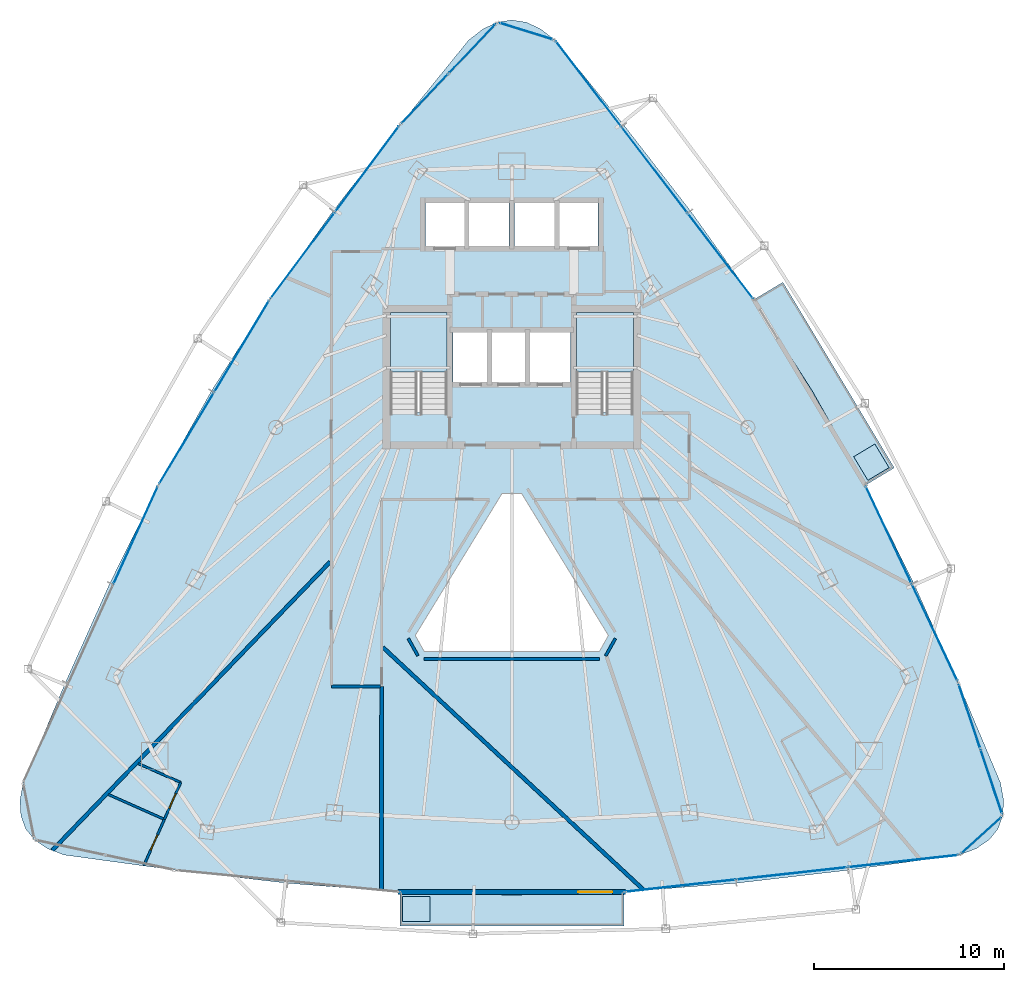
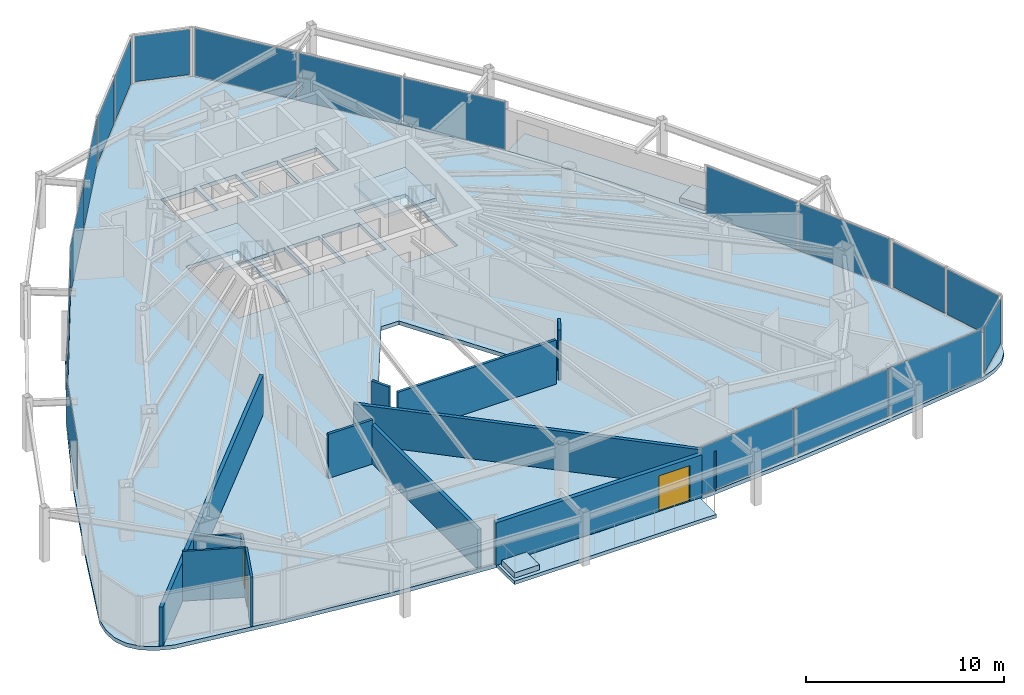
# One storey, part 26 of 31: 19 plates, 12 walls, 7 slabs, 3 doors, 3 openings, 12 elements without a shape of their own.
"""IFC4 building model written with IfcOpenShell, lengths in metres."""

from ifc_helpers import new_model, si_unit, direction, frame, frame_2d, origin, origin_2d, place, context, subcontext, project, spatial, polyline, rectangle, outline, extrude, material, layer, layer_set, type_object, element, fill, aggregate, save


model = new_model("IFC4")

# Units and contexts
model_context = context("Model", 3, precision=1e-05, world=origin(), true_north=direction((0.0, 1.0)))
body_context = subcontext(model_context, "Body", "Model", "MODEL_VIEW")
ifc_project = project(units=[si_unit("LENGTHUNIT", "METRE"), si_unit("AREAUNIT", "SQUARE_METRE"), si_unit("VOLUMEUNIT", "CUBIC_METRE"), si_unit("PLANEANGLEUNIT", "RADIAN"), si_unit("MASSUNIT", "GRAM", prefix="KILO")], contexts=[model_context])

# Site, building, storey
site_placement = place(None, origin())
site = spatial("IfcSite", under=ifc_project, at=site_placement, CompositionType="ELEMENT")
building_placement = place(site_placement, origin())
building = spatial("IfcBuilding", under=site, at=building_placement, Name="Orvanel Arch Residences", CompositionType="ELEMENT")
storey_placement = place(building_placement, frame((0.0, 0.0, 129.800048828125)))
storey = spatial("IfcBuildingStorey", under=building, at=storey_placement, Name="L36", CompositionType="ELEMENT", Elevation=129.800048828125)

# Curtain wall, plates
ifc_material_1 = material(Name="Bronze-anodised aluminium AA6063-T6", Category="aluminium")
ifc_layer_1 = layer(ifc_material_1, 0.179931640625)
ifc_layer_set_1 = layer_set([ifc_layer_1], Name="Bronze-anodised aluminium AA6063-T6")
curtain_wall_type_1 = type_object("IfcCurtainWallType", Name="CW3-MID-SYS", PredefinedType="NOTDEFINED", material=ifc_layer_set_1)
curtain_wall_1_placement = place(storey_placement, origin())
curtain_wall_1 = element("IfcCurtainWall", 1, at=curtain_wall_1_placement, inside=storey, type_object=curtain_wall_type_1, Name="L36 CW3-MID-SYS Unitised Curtain Wall", PredefinedType="NOTDEFINED")
ifc_material_2 = material(Name="Double-glazed solar-control low-E safety glass", Category="glass")
ifc_layer_2 = layer(ifc_material_2, 0.028076171875)
ifc_layer_set_2 = layer_set([ifc_layer_2], Name="Double-glazed solar-control low-E safety glass")
plate_type_1 = type_object("IfcPlateType", Name="PNL-GLZ-28", PredefinedType="CURTAIN_PANEL", material=ifc_layer_set_2)
plate_1_placement = place(storey_placement, frame((25.369873046875, 41.240478515625, 0.06005859375), z_axis=(0.0, 0.0, 1.0), x_axis=(-0.597389640291, -0.801951131724, 0.0)))
plate_1 = element("IfcPlate", 2, at=plate_1_placement, type_object=plate_type_1, Name="CW-S3 panel 1.1", PredefinedType="CURTAIN_PANEL", context=body_context, shape_type="SweptSolid", body=[
    extrude(rectangle(XDim=5.602294921875, YDim=0.028076171875, at=origin_2d()), origin(), (0.0, 0.0, 1.0), 2.93994140625),
])
plate_2_placement = place(storey_placement, frame((21.981201171875, 36.691650390625, 0.06005859375), z_axis=(0.0, 0.0, 1.0), x_axis=(-0.597389640291, -0.801951131724, 0.0)))
plate_2 = element("IfcPlate", 3, at=plate_2_placement, type_object=plate_type_1, Name="CW-S3 panel 2.1", PredefinedType="CURTAIN_PANEL", context=body_context, shape_type="SweptSolid", body=[
    extrude(rectangle(XDim=5.602294921875, YDim=0.028076171875, at=origin_2d()), origin(), (0.0, 0.0, 1.0), 2.93994140625),
])
aggregate(curtain_wall_1, [plate_1, plate_2])

curtain_wall_2_placement = place(storey_placement, origin())
curtain_wall_2 = element("IfcCurtainWall", 4, at=curtain_wall_2_placement, inside=storey, type_object=curtain_wall_type_1, Name="L36 CW3-MID-SYS Unitised Curtain Wall", PredefinedType="NOTDEFINED")
plate_3_placement = place(storey_placement, frame((18.774169921875, 31.906005859375, 0.06005859375), z_axis=(0.0, 0.0, 1.0), x_axis=(-0.514431016991, -0.857531765451, 0.0)))
plate_3 = element("IfcPlate", 5, at=plate_3_placement, type_object=plate_type_1, Name="CW-S3 panel 1.1", PredefinedType="CURTAIN_PANEL", context=body_context, shape_type="SweptSolid", body=[
    extrude(rectangle(XDim=5.573974609375, YDim=0.028076171875, at=origin_2d()), origin(), (0.0, 0.0, 1.0), 2.93994140625),
])
plate_4_placement = place(storey_placement, frame((15.870849609375, 27.06591796875, 0.06005859375), z_axis=(0.0, 0.0, 1.0), x_axis=(-0.514431016991, -0.857531765451, 0.0)))
plate_4 = element("IfcPlate", 6, at=plate_4_placement, type_object=plate_type_1, Name="CW-S3 panel 2.1", PredefinedType="CURTAIN_PANEL", context=body_context, shape_type="SweptSolid", body=[
    extrude(rectangle(XDim=5.573974609375, YDim=0.028076171875, at=origin_2d()), origin(), (0.0, 0.0, 1.0), 2.93994140625),
])
aggregate(curtain_wall_2, [plate_3, plate_4])

# Curtain wall, plate
curtain_wall_3_placement = place(storey_placement, origin())
curtain_wall_3 = element("IfcCurtainWall", 7, at=curtain_wall_3_placement, inside=storey, type_object=curtain_wall_type_1, Name="L36 CW3-MID-SYS Unitised Curtain Wall", PredefinedType="NOTDEFINED")
plate_5_placement = place(storey_placement, frame((13.19140625, 21.960205078125, 0.06005859375), z_axis=(0.0, 0.0, 1.0), x_axis=(-0.413895098306, -0.91032458365, 0.0)))
plate_5 = element("IfcPlate", 8, at=plate_5_placement, type_object=plate_type_1, Name="CW-S3 panel 1.1", PredefinedType="CURTAIN_PANEL", context=body_context, shape_type="SweptSolid", body=[
    extrude(rectangle(XDim=5.617919921875, YDim=0.028076171875, at=origin_2d()), origin(), (0.0, 0.0, 1.0), 2.93994140625),
])
aggregate(curtain_wall_3, [plate_5])

# Curtain wall, plates
curtain_wall_4_placement = place(storey_placement, origin())
curtain_wall_4 = element("IfcCurtainWall", 9, at=curtain_wall_4_placement, inside=storey, type_object=curtain_wall_type_1, Name="L36 CW3-MID-SYS Unitised Curtain Wall", PredefinedType="NOTDEFINED")
plate_6_placement = place(storey_placement, frame((41.873046875, 3.51318359375, 0.06005859375), z_axis=(0.0, 0.0, 1.0), x_axis=(0.993972721041, 0.109627687319, 0.0)))
plate_6 = element("IfcPlate", 10, at=plate_6_placement, type_object=plate_type_1, Name="CW-S3 panel 1.1", PredefinedType="CURTAIN_PANEL", context=body_context, shape_type="SweptSolid", body=[
    extrude(rectangle(XDim=5.81201171875, YDim=0.028076171875, at=origin_2d()), origin(), (0.0, 0.0, 1.0), 2.93994140625),
])
plate_7_placement = place(storey_placement, frame((47.737060546875, 4.159912109375, 0.06005859375), z_axis=(0.0, 0.0, 1.0), x_axis=(0.993972721041, 0.109627687319, 0.0)))
plate_7 = element("IfcPlate", 11, at=plate_7_placement, type_object=plate_type_1, Name="CW-S3 panel 2.1", PredefinedType="CURTAIN_PANEL", context=body_context, shape_type="SweptSolid", body=[
    extrude(rectangle(XDim=5.846923828125, YDim=0.028076171875, at=origin_2d()), origin(), (0.0, 0.0, 1.0), 2.93994140625),
])
plate_8_placement = place(storey_placement, frame((53.600830078125, 4.806640625, 0.06005859375), z_axis=(0.0, 0.0, 1.0), x_axis=(0.993972721041, 0.109627687319, 0.0)))
plate_8 = element("IfcPlate", 12, at=plate_8_placement, type_object=plate_type_1, Name="CW-S3 panel 3.1", PredefinedType="CURTAIN_PANEL", context=body_context, shape_type="SweptSolid", body=[
    extrude(rectangle(XDim=5.81201171875, YDim=0.028076171875, at=origin_2d()), origin(), (0.0, 0.0, 1.0), 2.93994140625),
])
aggregate(curtain_wall_4, [plate_6, plate_7, plate_8])

curtain_wall_5_placement = place(storey_placement, origin())
curtain_wall_5 = element("IfcCurtainWall", 13, at=curtain_wall_5_placement, inside=storey, type_object=curtain_wall_type_1, Name="L36 CW3-MID-SYS Unitised Curtain Wall", PredefinedType="NOTDEFINED")
plate_9_placement = place(storey_placement, frame((55.25927734375, 16.852294921875, 0.06005859375), z_axis=(0.0, 0.0, 1.0), x_axis=(-0.426206237326, 0.904626023981, 0.0)))
plate_9 = element("IfcPlate", 14, at=plate_9_placement, type_object=plate_type_1, Name="CW-S3 panel 1.1", PredefinedType="CURTAIN_PANEL", context=body_context, shape_type="SweptSolid", body=[
    extrude(rectangle(XDim=5.602294921875, YDim=0.028076171875, at=origin_2d()), origin(), (0.0, 0.0, 1.0), 2.93994140625),
])
plate_10_placement = place(storey_placement, frame((52.841796875, 21.983642578125, 0.06005859375), z_axis=(0.0, 0.0, 1.0), x_axis=(-0.426206237326, 0.904626023981, 0.0)))
plate_10 = element("IfcPlate", 15, at=plate_10_placement, type_object=plate_type_1, Name="CW-S3 panel 2.1", PredefinedType="CURTAIN_PANEL", context=body_context, shape_type="SweptSolid", body=[
    extrude(rectangle(XDim=5.602294921875, YDim=0.028076171875, at=origin_2d()), origin(), (0.0, 0.0, 1.0), 2.93994140625),
])
aggregate(curtain_wall_5, [plate_9, plate_10])

curtain_wall_6_placement = place(storey_placement, origin())
curtain_wall_6 = element("IfcCurtainWall", 16, at=curtain_wall_6_placement, inside=storey, type_object=curtain_wall_type_1, Name="L36 CW3-MID-SYS Unitised Curtain Wall", PredefinedType="NOTDEFINED")
plate_11_placement = place(storey_placement, frame((43.98291015625, 36.673828125, 0.06005859375), z_axis=(0.0, 0.0, 1.0), x_axis=(-0.608327589465, 0.793686048697, 0.0)))
plate_11 = element("IfcPlate", 17, at=plate_11_placement, type_object=plate_type_1, Name="CW-S3 panel 1.1", PredefinedType="CURTAIN_PANEL", context=body_context, shape_type="SweptSolid", body=[
    extrude(rectangle(XDim=5.6171875, YDim=0.028076171875, at=origin_2d()), origin(), (0.0, 0.0, 1.0), 2.93994140625),
])
plate_12_placement = place(storey_placement, frame((40.512451171875, 41.201416015625, 0.06005859375), z_axis=(0.0, 0.0, 1.0), x_axis=(-0.608327589465, 0.793686048697, 0.0)))
plate_12 = element("IfcPlate", 18, at=plate_12_placement, type_object=plate_type_1, Name="CW-S3 panel 2.1", PredefinedType="CURTAIN_PANEL", context=body_context, shape_type="SweptSolid", body=[
    extrude(rectangle(XDim=5.65234375, YDim=0.028076171875, at=origin_2d()), origin(), (0.0, 0.0, 1.0), 2.93994140625),
])
plate_13_placement = place(storey_placement, frame((37.042236328125, 45.729248046875, 0.06005859375), z_axis=(0.0, 0.0, 1.0), x_axis=(-0.608327589465, 0.793686048697, 0.0)))
plate_13 = element("IfcPlate", 19, at=plate_13_placement, type_object=plate_type_1, Name="CW-S3 panel 3.1", PredefinedType="CURTAIN_PANEL", context=body_context, shape_type="SweptSolid", body=[
    extrude(rectangle(XDim=5.6171875, YDim=0.028076171875, at=origin_2d()), origin(), (0.0, 0.0, 1.0), 2.93994140625),
])
aggregate(curtain_wall_6, [plate_11, plate_12, plate_13])

# Curtain wall, plate
ifc_layer_3 = layer(ifc_material_1, 0.18994140625)
ifc_layer_set_3 = layer_set([ifc_layer_3], Name="Bronze-anodised aluminium AA6063-T6")
curtain_wall_type_2 = type_object("IfcCurtainWallType", Name="CW5-CRN-SYS", PredefinedType="NOTDEFINED", material=ifc_layer_set_3)
curtain_wall_7_placement = place(storey_placement, origin())
curtain_wall_7 = element("IfcCurtainWall", 20, at=curtain_wall_7_placement, inside=storey, type_object=curtain_wall_type_2, Name="L36 CW5-CRN-SYS Unitised Curtain Wall", PredefinedType="NOTDEFINED")
ifc_layer_4 = layer(ifc_material_2, 0.031982421875)
ifc_layer_set_4 = layer_set([ifc_layer_4], Name="Double-glazed solar-control low-E safety glass")
plate_type_2 = type_object("IfcPlateType", Name="PNL-GLZ-32", PredefinedType="CURTAIN_PANEL", material=ifc_layer_set_4)
plate_14_placement = place(storey_placement, frame((33.759521484375, 48.5029296875, 0.1298828125), z_axis=(0.0, 0.0, 1.0), x_axis=(-0.954824681693, 0.297169694333, 0.0)))
plate_14 = element("IfcPlate", 21, at=plate_14_placement, type_object=plate_type_2, Name="CW-S5 panel 1.1", PredefinedType="CURTAIN_PANEL", context=body_context, shape_type="SweptSolid", body=[
    extrude(rectangle(XDim=2.843017578125, YDim=0.031982421875, at=origin_2d()), origin(), (0.0, 0.0, 1.0), 2.800048828125),
])
aggregate(curtain_wall_7, [plate_14])

# Curtain wall, plates
curtain_wall_8_placement = place(storey_placement, origin())
curtain_wall_8 = element("IfcCurtainWall", 22, at=curtain_wall_8_placement, inside=storey, type_object=curtain_wall_type_2, Name="L36 CW5-CRN-SYS Unitised Curtain Wall", PredefinedType="NOTDEFINED")
plate_15_placement = place(storey_placement, frame((30.92138671875, 47.587158203125, 0.1298828125), z_axis=(0.0, 0.0, 1.0), x_axis=(-0.688561931403, -0.725177541449, 0.0)))
plate_15 = element("IfcPlate", 23, at=plate_15_placement, type_object=plate_type_2, Name="CW-S5 panel 1.1", PredefinedType="CURTAIN_PANEL", context=body_context, shape_type="SweptSolid", body=[
    extrude(rectangle(XDim=3.4892578125, YDim=0.031982421875, at=origin_2d()), origin(), (0.0, 0.0, 1.0), 2.800048828125),
])
plate_16_placement = place(storey_placement, frame((28.41552734375, 44.947998046875, 0.1298828125), z_axis=(0.0, 0.0, 1.0), x_axis=(-0.688561931403, -0.725177541449, 0.0)))
plate_16 = element("IfcPlate", 24, at=plate_16_placement, type_object=plate_type_2, Name="CW-S5 panel 2.1", PredefinedType="CURTAIN_PANEL", context=body_context, shape_type="SweptSolid", body=[
    extrude(rectangle(XDim=3.4892578125, YDim=0.031982421875, at=origin_2d()), origin(), (0.0, 0.0, 1.0), 2.800048828125),
])
aggregate(curtain_wall_8, [plate_15, plate_16])

# Curtain wall, plate
curtain_wall_9_placement = place(storey_placement, origin())
curtain_wall_9 = element("IfcCurtainWall", 25, at=curtain_wall_9_placement, inside=storey, type_object=curtain_wall_type_2, Name="L36 CW5-CRN-SYS Unitised Curtain Wall", PredefinedType="NOTDEFINED")
plate_17_placement = place(storey_placement, frame((57.71337890625, 6.1650390625, 0.1298828125), z_axis=(0.0, 0.0, 1.0), x_axis=(0.740179363966, 0.672409480271, 0.0)))
plate_17 = element("IfcPlate", 26, at=plate_17_placement, type_object=plate_type_2, Name="CW-S5 panel 1.1", PredefinedType="CURTAIN_PANEL", context=body_context, shape_type="SweptSolid", body=[
    extrude(rectangle(XDim=2.724853515625, YDim=0.031982421875, at=origin_2d()), origin(), (0.0, 0.0, 1.0), 2.800048828125),
])
aggregate(curtain_wall_9, [plate_17])

# Curtain wall, plates
curtain_wall_10_placement = place(storey_placement, origin())
curtain_wall_10 = element("IfcCurtainWall", 27, at=curtain_wall_10_placement, inside=storey, type_object=curtain_wall_type_2, Name="L36 CW5-CRN-SYS Unitised Curtain Wall", PredefinedType="NOTDEFINED")
plate_18_placement = place(storey_placement, frame((58.244140625, 9.00048828125, 0.1298828125), z_axis=(0.0, 0.0, 1.0), x_axis=(-0.317364853099, 0.94830351155, 0.0)))
plate_18 = element("IfcPlate", 28, at=plate_18_placement, type_object=plate_type_2, Name="CW-S5 panel 1.1", PredefinedType="CURTAIN_PANEL", context=body_context, shape_type="SweptSolid", body=[
    extrude(rectangle(XDim=3.468017578125, YDim=0.031982421875, at=origin_2d()), origin(), (0.0, 0.0, 1.0), 2.800048828125),
])
plate_19_placement = place(storey_placement, frame((57.095947265625, 12.431396484375, 0.1298828125), z_axis=(0.0, 0.0, 1.0), x_axis=(-0.317364853099, 0.94830351155, 0.0)))
plate_19 = element("IfcPlate", 29, at=plate_19_placement, type_object=plate_type_2, Name="CW-S5 panel 2.1", PredefinedType="CURTAIN_PANEL", context=body_context, shape_type="SweptSolid", body=[
    extrude(rectangle(XDim=3.468017578125, YDim=0.031982421875, at=origin_2d()), origin(), (0.0, 0.0, 1.0), 2.800048828125),
])
aggregate(curtain_wall_10, [plate_18, plate_19])

# Slabs
ifc_material_3 = material(Name="Concrete N40 (40 MPa)", Category="concrete")
ifc_layer_5 = layer(ifc_material_3, 0.215087890625)
ifc_layer_set_5 = layer_set([ifc_layer_5], Name="Concrete N40 (40 MPa)")
slab_type_1 = type_object("IfcSlabType", Name="SLB-BAL-215", PredefinedType="FLOOR", material=ifc_layer_set_5)
slab_1_placement = place(storey_placement, frame((0.0, 0.0, -0.215087890625)))
element("IfcSlab", 30, at=slab_1_placement, inside=storey, type_object=slab_type_1, Name="L36 Cantilevered Balcony Slab Face 2", PredefinedType="FLOOR", context=body_context, shape_type="SweptSolid", body=[
    extrude(outline(polyline([(27.10498046875, 1.405029296875), (38.89501953125, 1.405029296875), (38.89501953125, 3.18505859375), (33.0, 3.02392578125), (27.10498046875, 3.18505859375), (27.10498046875, 1.405029296875)])), origin(), (0.0, 0.0, 1.0), 0.215087890625),
])
slab_2_placement = place(storey_placement, frame((0.0, 0.0, -0.215087890625)))
element("IfcSlab", 31, at=slab_2_placement, inside=storey, type_object=slab_type_1, Name="L36 Cantilevered Balcony Slab Face 3", PredefinedType="FLOOR", context=body_context, shape_type="SweptSolid", body=[
    extrude(outline(polyline([(53.135009765625, 25.513916015625), (47.27197265625, 35.2880859375), (45.74609375, 34.373046875), (48.81494140625, 29.568115234375), (51.60888671875, 24.59912109375), (53.135009765625, 25.513916015625)])), origin(), (0.0, 0.0, 1.0), 0.215087890625),
])

# Stair, slab
ifc_material_4 = material(Name="Precast concrete N50 (50 MPa)", Category="concrete")
stair_type = type_object("IfcStairType", Name="STR-DOG-184", PredefinedType="USERDEFINED", material=ifc_material_4)
stair_1_placement = place(storey_placement, origin())
stair_1 = element("IfcStair", 32, at=stair_1_placement, inside=storey, type_object=stair_type, Name="L36 Fire-Isolated Core Exit Stair 1", ObjectType="TWO_RETURN_STAIR", PredefinedType="USERDEFINED")
ifc_layer_6 = layer(ifc_material_3, 0.199951171875)
ifc_layer_set_6 = layer_set([ifc_layer_6], Name="Concrete N40 (40 MPa)")
slab_type_2 = type_object("IfcSlabType", Name="SLB-LND-200", PredefinedType="LANDING", material=ifc_layer_set_6)
slab_3_placement = place(storey_placement, frame((0.0, 0.0, 1.449951171875)))
slab_3 = element("IfcSlab", 33, at=slab_3_placement, type_object=slab_type_2, Name="ST-1 landing 1", PredefinedType="LANDING", context=body_context, shape_type="SweptSolid", body=[
    extrude(outline(polyline([(29.60009765625, 30.56005859375), (29.60009765625, 33.699951171875), (26.60009765625, 33.699951171875), (26.60009765625, 30.56005859375), (29.60009765625, 30.56005859375)])), origin(), (0.0, 0.0, 1.0), 0.199951171875),
])
aggregate(stair_1, [slab_3])

stair_2_placement = place(storey_placement, origin())
stair_2 = element("IfcStair", 34, at=stair_2_placement, inside=storey, type_object=stair_type, Name="L36 Fire-Isolated Core Exit Stair 2", ObjectType="TWO_RETURN_STAIR", PredefinedType="USERDEFINED")
slab_4_placement = place(storey_placement, frame((0.0, 0.0, 1.449951171875)))
slab_4 = element("IfcSlab", 35, at=slab_4_placement, type_object=slab_type_2, Name="ST-2 landing 1", PredefinedType="LANDING", context=body_context, shape_type="SweptSolid", body=[
    extrude(outline(polyline([(39.39990234375, 30.56005859375), (39.39990234375, 33.699951171875), (36.39990234375, 33.699951171875), (36.39990234375, 30.56005859375), (39.39990234375, 30.56005859375)])), origin(), (0.0, 0.0, 1.0), 0.199951171875),
])
aggregate(stair_2, [slab_4])

# Slabs
ifc_material_5 = material(Name="Structural architectural precast concrete N40 (40 MPa) planter", Category="concrete")
ifc_layer_7 = layer(ifc_material_5, 0.320068359375)
ifc_layer_set_7 = layer_set([ifc_layer_7], Name="Structural architectural precast concrete N40 (40 MPa) planter")
slab_type_3 = type_object("IfcSlabType", Name="SLB-PLN-320", PredefinedType="USERDEFINED", material=ifc_layer_set_7)
slab_5_placement = place(storey_placement, origin())
element("IfcSlab", 36, at=slab_5_placement, inside=storey, type_object=slab_type_3, Name="L36 Balcony TREE PLANTER Face 2", ObjectType="PLANTER", PredefinedType="USERDEFINED", context=body_context, shape_type="SweptSolid", body=[
    extrude(outline(polyline([(27.2548828125, 1.635009765625), (28.705078125, 1.635009765625), (28.705078125, 2.93505859375), (27.2548828125, 2.93505859375), (27.2548828125, 1.635009765625)])), origin(), (0.0, 0.0, 1.0), 0.320068359375),
])
slab_6_placement = place(storey_placement, origin())
element("IfcSlab", 37, at=slab_6_placement, inside=storey, type_object=slab_type_3, Name="L36 Balcony TREE PLANTER Face 3", ObjectType="PLANTER", PredefinedType="USERDEFINED", context=body_context, shape_type="SweptSolid", body=[
    extrude(outline(polyline([(52.861083984375, 25.52490234375), (52.114990234375, 26.76806640625), (51.0, 26.09912109375), (51.74609375, 24.85595703125), (52.861083984375, 25.52490234375)])), origin(), (0.0, 0.0, 1.0), 0.320068359375),
])
ifc_layer_8 = layer(ifc_material_3, 0.239990234375)
ifc_layer_set_8 = layer_set([ifc_layer_8], Name="Concrete N40 (40 MPa)")
slab_type_4 = type_object("IfcSlabType", Name="SLB-TYP-240", PredefinedType="FLOOR", material=ifc_layer_set_8)
slab_7_placement = place(storey_placement, frame((0.0, 0.0, -0.239990234375)))
element("IfcSlab", 38, at=slab_7_placement, inside=storey, type_object=slab_type_4, Name="L36 Tower Floor Slab", PredefinedType="FLOOR", context=body_context, shape_type="SweptSolid", body=[
    extrude(outline(polyline([(35.279052734375, 48.030029296875), (34.51904296875, 48.62109375), (33.760009765625, 48.97607421875), (33.0, 49.093994140625), (32.239990234375, 48.97607421875), (31.48095703125, 48.62109375), (30.720947265625, 48.030029296875), (27.096923828125, 43.55908203125), (23.577880859375, 39.02392578125), (20.25390625, 34.373046875), (17.18505859375, 29.568115234375), (14.39111328125, 24.59912109375), (11.85205078125, 19.47607421875), (9.508056640625, 14.237060546875), (7.26904296875, 8.93408203125), (7.10595703125, 8.006103515625), (7.152099609375, 7.195068359375), (7.406005859375, 6.5029296875), (7.868896484375, 5.928955078125), (8.5400390625, 5.472900390625), (9.4208984375, 5.135009765625), (15.31591796875, 4.326904296875), (21.2099609375, 3.64208984375), (27.10498046875, 3.18505859375), (33.0, 3.02392578125), (38.89501953125, 3.18505859375), (44.7900390625, 3.64208984375), (50.68408203125, 4.326904296875), (56.5791015625, 5.135009765625), (57.458984375, 5.472900390625), (58.131103515625, 5.928955078125), (58.593994140625, 6.5029296875), (58.847900390625, 7.195068359375), (58.89404296875, 8.006103515625), (58.72998046875, 8.93408203125), (56.491943359375, 14.237060546875), (54.14794921875, 19.47607421875), (51.60888671875, 24.59912109375), (48.81494140625, 29.568115234375), (45.74609375, 34.373046875), (42.422119140625, 39.02392578125), (38.903076171875, 43.55908203125), (35.279052734375, 48.030029296875)]), holes=[polyline([(26.60009765625, 28.429931640625), (26.60009765625, 33.699951171875), (29.60009765625, 33.699951171875), (29.60009765625, 28.429931640625), (26.60009765625, 28.429931640625)]), polyline([(36.39990234375, 28.429931640625), (36.39990234375, 33.699951171875), (39.39990234375, 33.699951171875), (39.39990234375, 28.429931640625), (36.39990234375, 28.429931640625)]), polyline([(29.89990234375, 32.64990234375), (31.75, 32.64990234375), (31.75, 29.949951171875), (29.89990234375, 29.949951171875), (29.89990234375, 32.64990234375)]), polyline([(31.89990234375, 32.64990234375), (33.75, 32.64990234375), (33.75, 29.949951171875), (31.89990234375, 29.949951171875), (31.89990234375, 32.64990234375)]), polyline([(33.89990234375, 32.64990234375), (36.10009765625, 32.64990234375), (36.10009765625, 29.949951171875), (33.89990234375, 29.949951171875), (33.89990234375, 32.64990234375)]), polyline([(28.449951171875, 39.449951171875), (30.5, 39.449951171875), (30.5, 37.199951171875), (28.449951171875, 37.199951171875), (28.449951171875, 39.449951171875)]), polyline([(35.5, 39.449951171875), (37.550048828125, 39.449951171875), (37.550048828125, 37.199951171875), (35.5, 37.199951171875), (35.5, 39.449951171875)]), polyline([(30.75, 39.449951171875), (32.85009765625, 39.449951171875), (32.85009765625, 37.199951171875), (30.75, 37.199951171875), (30.75, 39.449951171875)]), polyline([(33.14990234375, 39.449951171875), (35.25, 39.449951171875), (35.25, 37.199951171875), (33.14990234375, 37.199951171875), (33.14990234375, 39.449951171875)]), polyline([(38.0859375, 16.69189453125), (37.614013671875, 15.84912109375), (28.385986328125, 15.84912109375), (27.9140625, 16.69189453125), (32.485107421875, 24.1689453125), (33.514892578125, 24.1689453125), (38.0859375, 16.69189453125)])]), origin(), (0.0, 0.0, 1.0), 0.239990234375),
])

# Wall, opening, door
ifc_layer_9 = layer(ifc_material_4, 0.239990234375)
ifc_layer_set_9 = layer_set([ifc_layer_9], Name="Precast concrete N50 (50 MPa)")
wall_type_1 = type_object("IfcWallType", Name="EW-BAL-240", PredefinedType="SOLIDWALL", material=ifc_layer_set_9)
wall_1_placement = place(storey_placement, frame((27.007080078125, 3.18505859375, 0.0), z_axis=(0.0, 0.0, 1.0), x_axis=(1.0, 0.0, 0.0)))
wall_1 = element("IfcWall", 39, at=wall_1_placement, inside=storey, type_object=wall_type_1, Name="L36 Balcony Threshold Wall Face 2", PredefinedType="SOLIDWALL", context=body_context, shape_type="SweptSolid", body=[
    extrude(rectangle(XDim=11.98583984375, YDim=0.239990234375, at=frame_2d((5.992919921875, 0.0))), origin(), (0.0, 0.0, 1.0), 2.6240234375),
])
opening_1_placement = place(wall_1_placement, frame((9.488037109375, 0.0, 0.0)))
opening_1 = element("IfcOpeningElement", 40, at=opening_1_placement, cuts=wall_1, Name="Opening DB-180", PredefinedType="OPENING", context=body_context, shape_type="SweptSolid", body=[
    extrude(rectangle(XDim=1.800048828125, YDim=2.199951171875, at=frame_2d((0.89990234375, 1.10009765625))), frame((0.0, 0.1298828125, 0.0), z_axis=(0.0, -1.0, 0.0), x_axis=(1.0, 0.0, 0.0)), (0.0, 0.0, 1.0), 0.260009765625),
])
door_type_1 = type_object("IfcDoorType", Name="DR-BAL-1800", OperationType="NOTDEFINED", PredefinedType="DOOR", material=ifc_material_1)
door_1_placement = place(opening_1_placement, origin())
door_1 = element("IfcDoor", 41, at=door_1_placement, inside=storey, type_object=door_type_1, Name="DR-L36-BAL-F2 L36 Planted Balcony Access Door Face 2", OperationType="SINGLE_SWING_RIGHT", OverallHeight=2.199951171875, OverallWidth=1.800048828125, PredefinedType="DOOR", context=body_context, shape_type="SweptSolid", body=[
    extrude(rectangle(XDim=1.800048828125, YDim=2.199951171875, at=frame_2d((0.89990234375, 1.10009765625))), frame((0.0, 0.02490234375, 0.0), z_axis=(0.0, -1.0, 0.0), x_axis=(1.0, 0.0, 0.0)), (0.0, 0.0, 1.0), 0.050048828125),
])
fill(opening_1, door_1)

# Walls
ifc_material_6 = material(Name="Fire-rated plasterboard lined steel stud partition", Category="steel")
ifc_layer_10 = layer(ifc_material_6, 0.14990234375)
ifc_layer_set_10 = layer_set([ifc_layer_10], Name="Fire-rated plasterboard lined steel stud partition")
wall_type_2 = type_object("IfcWallType", Name="W-COR-150", PredefinedType="PARTITIONING", material=ifc_layer_set_10)
wall_2_placement = place(storey_placement, frame((26.090087890625, 14.0, 0.0), z_axis=(0.0, 0.0, 1.0), x_axis=(-1.0, 0.0, 0.0)))
element("IfcWall", 42, at=wall_2_placement, inside=storey, type_object=wall_type_2, Name="L36 Corridor Fire-Rated Partition", PredefinedType="PARTITIONING", context=body_context, shape_type="SweptSolid", body=[
    extrude(rectangle(XDim=2.590087890625, YDim=0.14990234375, at=frame_2d((1.294921875, 0.0))), origin(), (0.0, 0.0, 1.0), 2.720947265625),
])
wall_3_placement = place(storey_placement, frame((38.451904296875, 16.531005859375, 0.0), z_axis=(0.0, 0.0, 1.0), x_axis=(-0.488539276118, -0.872541904833, 0.0)))
element("IfcWall", 43, at=wall_3_placement, inside=storey, type_object=wall_type_2, Name="L36 Atrium Overlook Glazed Partition", PredefinedType="PARTITIONING", context=body_context, shape_type="SweptSolid", body=[
    extrude(rectangle(XDim=1.0439453125, YDim=0.14990234375, at=frame_2d((0.52197265625, 0.0))), origin(), (0.0, 0.0, 1.0), 3.06005859375),
])
wall_4_placement = place(storey_placement, frame((37.614013671875, 15.448974609375, 0.0), z_axis=(0.0, 0.0, 1.0), x_axis=(-1.0, 0.0, 0.0)))
element("IfcWall", 44, at=wall_4_placement, inside=storey, type_object=wall_type_2, Name="L36 Atrium Overlook Glazed Partition", PredefinedType="PARTITIONING", context=body_context, shape_type="SweptSolid", body=[
    extrude(rectangle(XDim=9.22802734375, YDim=0.14990234375, at=frame_2d((4.614013671875, 0.0))), origin(), (0.0, 0.0, 1.0), 2.720947265625),
])
wall_5_placement = place(storey_placement, frame((28.05810546875, 15.6201171875, 0.0), z_axis=(0.0, 0.0, 1.0), x_axis=(-0.488539276118, 0.872541904833, 0.0)))
element("IfcWall", 45, at=wall_5_placement, inside=storey, type_object=wall_type_2, Name="L36 Atrium Overlook Glazed Partition", PredefinedType="PARTITIONING", context=body_context, shape_type="SweptSolid", body=[
    extrude(rectangle(XDim=1.0439453125, YDim=0.14990234375, at=frame_2d((0.52197265625, 0.0))), origin(), (0.0, 0.0, 1.0), 3.06005859375),
])
ifc_layer_11 = layer(ifc_material_6, 0.199951171875)
ifc_layer_set_11 = layer_set([ifc_layer_11], Name="Fire-rated plasterboard lined steel stud partition")
wall_type_3 = type_object("IfcWallType", Name="W-DEM-200", PredefinedType="PARTITIONING", material=ifc_layer_set_11)
wall_6_placement = place(storey_placement, frame((23.43994140625, 20.572021484375, 0.0), z_axis=(0.0, 0.0, 1.0), x_axis=(-0.693655036552, -0.720307358193, 0.0)))
element("IfcWall", 46, at=wall_6_placement, inside=storey, type_object=wall_type_3, Name="L36 Inter-Tenancy Acoustic Demising Wall", PredefinedType="PARTITIONING", context=body_context, shape_type="SweptSolid", body=[
    extrude(rectangle(XDim=21.086669921875, YDim=0.199951171875, at=frame_2d((10.54345703125, 0.0))), origin(), (0.0, 0.0, 1.0), 2.412841796875),
])
wall_7_placement = place(storey_placement, frame((26.14892578125, 14.0, 0.0), z_axis=(0.0, 0.0, 1.0), x_axis=(-0.001570678691, -0.999998766483, 0.0)))
element("IfcWall", 47, at=wall_7_placement, inside=storey, type_object=wall_type_3, Name="L36 Inter-Tenancy Acoustic Demising Wall", PredefinedType="PARTITIONING", context=body_context, shape_type="SweptSolid", body=[
    extrude(rectangle(XDim=10.72509765625, YDim=0.199951171875, at=frame_2d((5.362548828125, 0.0))), origin(), (0.0, 0.0, 1.0), 2.412841796875),
])
wall_8_placement = place(storey_placement, frame((39.9580078125, 3.278076171875, 0.0), z_axis=(0.0, 0.0, 1.0), x_axis=(-0.732155976475, 0.681137009795, 0.0)))
element("IfcWall", 48, at=wall_8_placement, inside=storey, type_object=wall_type_3, Name="L36 Inter-Tenancy Acoustic Demising Wall", PredefinedType="PARTITIONING", context=body_context, shape_type="SweptSolid", body=[
    extrude(rectangle(XDim=18.777587890625, YDim=0.199951171875, at=frame_2d((9.388671875, 0.0))), origin(), (0.0, 0.0, 1.0), 2.412841796875),
])

# Wall, opening, door
ifc_material_7 = material(Name="Acoustic plasterboard lined twin-stud partition", Category="gypsum")
ifc_layer_12 = layer(ifc_material_7, 0.1201171875)
ifc_layer_set_12 = layer_set([ifc_layer_12], Name="Acoustic plasterboard lined twin-stud partition")
wall_type_4 = type_object("IfcWallType", Name="W-WET-120", PredefinedType="PARTITIONING", material=ifc_layer_set_12)
wall_9_placement = place(storey_placement, frame((14.70703125, 7.009033203125, 0.0), z_axis=(0.0, 0.0, 1.0), x_axis=(0.406127806348, 0.913816286193, 0.0)))
wall_9 = element("IfcWall", 49, at=wall_9_placement, inside=storey, type_object=wall_type_4, Name="L36 Studio B Bathroom Partition", PredefinedType="PARTITIONING", context=body_context, shape_type="SweptSolid", body=[
    extrude(rectangle(XDim=2.125, YDim=0.1201171875, at=frame_2d((1.0625, 0.0))), origin(), (0.0, 0.0, 1.0), 2.412841796875),
])
opening_2_placement = place(wall_9_placement, frame((0.653076171875, 0.0, 0.0)))
opening_2 = element("IfcOpeningElement", 50, at=opening_2_placement, cuts=wall_9, Name="Opening DW-082", PredefinedType="OPENING", context=body_context, shape_type="SweptSolid", body=[
    extrude(rectangle(XDim=0.820068359375, YDim=2.10009765625, at=frame_2d((0.41015625, 1.050048828125))), frame((0.0, 0.070068359375, 0.0), z_axis=(0.0, -1.0, 0.0), x_axis=(1.0, 0.0, 0.0)), (0.0, 0.0, 1.0), 0.14013671875),
])
ifc_material_8 = material(Name="Solid-core European oak veneer fire door leaf", Category="wood")
door_type_2 = type_object("IfcDoorType", Name="DR-WET-820", OperationType="NOTDEFINED", PredefinedType="DOOR", material=ifc_material_8)
door_2_placement = place(opening_2_placement, origin())
door_2 = element("IfcDoor", 51, at=door_2_placement, inside=storey, type_object=door_type_2, Name="DR-L36-B-BATH L36 Studio B Bathroom Door", OperationType="SINGLE_SWING_RIGHT", OverallHeight=2.10009765625, OverallWidth=0.820068359375, PredefinedType="DOOR", context=body_context, shape_type="SweptSolid", body=[
    extrude(rectangle(XDim=0.820068359375, YDim=2.10009765625, at=frame_2d((0.41015625, 1.050048828125))), frame((0.0, 0.02490234375, 0.0), z_axis=(0.0, -1.0, 0.0), x_axis=(1.0, 0.0, 0.0)), (0.0, 0.0, 1.0), 0.050048828125),
])
fill(opening_2, door_2)

# Wall
wall_10_placement = place(storey_placement, frame((15.570068359375, 8.950927734375, 0.0), z_axis=(0.0, 0.0, 1.0), x_axis=(-0.91379514288, 0.406175376961, 0.0)))
element("IfcWall", 52, at=wall_10_placement, inside=storey, type_object=wall_type_4, Name="L36 Studio B Bathroom Partition", PredefinedType="PARTITIONING", context=body_context, shape_type="SweptSolid", body=[
    extrude(rectangle(XDim=2.454833984375, YDim=0.1201171875, at=frame_2d((1.2275390625, 0.0))), origin(), (0.0, 0.0, 1.0), 2.412841796875),
])

# Wall, opening, door
wall_11_placement = place(storey_placement, frame((13.625, 4.573974609375, 0.0), z_axis=(0.0, 0.0, 1.0), x_axis=(0.406070456553, 0.913841772034, 0.0)))
wall_11 = element("IfcWall", 53, at=wall_11_placement, inside=storey, type_object=wall_type_4, Name="L36 Studio B Internal Partition", PredefinedType="PARTITIONING", context=body_context, shape_type="SweptSolid", body=[
    extrude(rectangle(XDim=2.66455078125, YDim=0.1201171875, at=frame_2d((1.332275390625, 0.0))), origin(), (0.0, 0.0, 1.0), 3.06005859375),
])
opening_3_placement = place(wall_11_placement, frame((0.89208984375, 0.0, 0.0)))
opening_3 = element("IfcOpeningElement", 54, at=opening_3_placement, cuts=wall_11, Name="Opening DI-088", PredefinedType="OPENING", context=body_context, shape_type="SweptSolid", body=[
    extrude(rectangle(XDim=0.8798828125, YDim=2.10009765625, at=frame_2d((0.43994140625, 1.050048828125))), frame((0.0, 0.070068359375, 0.0), z_axis=(0.0, -1.0, 0.0), x_axis=(1.0, 0.0, 0.0)), (0.0, 0.0, 1.0), 0.14013671875),
])
door_type_3 = type_object("IfcDoorType", Name="DR-INT-880", OperationType="NOTDEFINED", PredefinedType="DOOR", material=ifc_material_8)
door_3_placement = place(opening_3_placement, origin())
door_3 = element("IfcDoor", 55, at=door_3_placement, inside=storey, type_object=door_type_3, Name="DR-L36-B-KIT L36 Studio B Kitchenette Door", OperationType="SINGLE_SWING_LEFT", OverallHeight=2.10009765625, OverallWidth=0.8798828125, PredefinedType="DOOR", context=body_context, shape_type="SweptSolid", body=[
    extrude(rectangle(XDim=0.8798828125, YDim=2.10009765625, at=frame_2d((0.43994140625, 1.050048828125))), frame((0.0, 0.02490234375, 0.0), z_axis=(0.0, -1.0, 0.0), x_axis=(1.0, 0.0, 0.0)), (0.0, 0.0, 1.0), 0.050048828125),
])
fill(opening_3, door_3)

# Wall
wall_12_placement = place(storey_placement, frame((14.70703125, 7.009033203125, 0.0), z_axis=(0.0, 0.0, 1.0), x_axis=(-0.913880174296, 0.40598402312, 0.0)))
element("IfcWall", 56, at=wall_12_placement, inside=storey, type_object=wall_type_4, Name="L36 Studio B Bathroom Partition", PredefinedType="PARTITIONING", context=body_context, shape_type="SweptSolid", body=[
    extrude(rectangle(XDim=3.226806640625, YDim=0.1201171875, at=frame_2d((1.61328125, 0.0))), origin(), (0.0, 0.0, 1.0), 3.06005859375),
])

save(model, "model.ifc")
